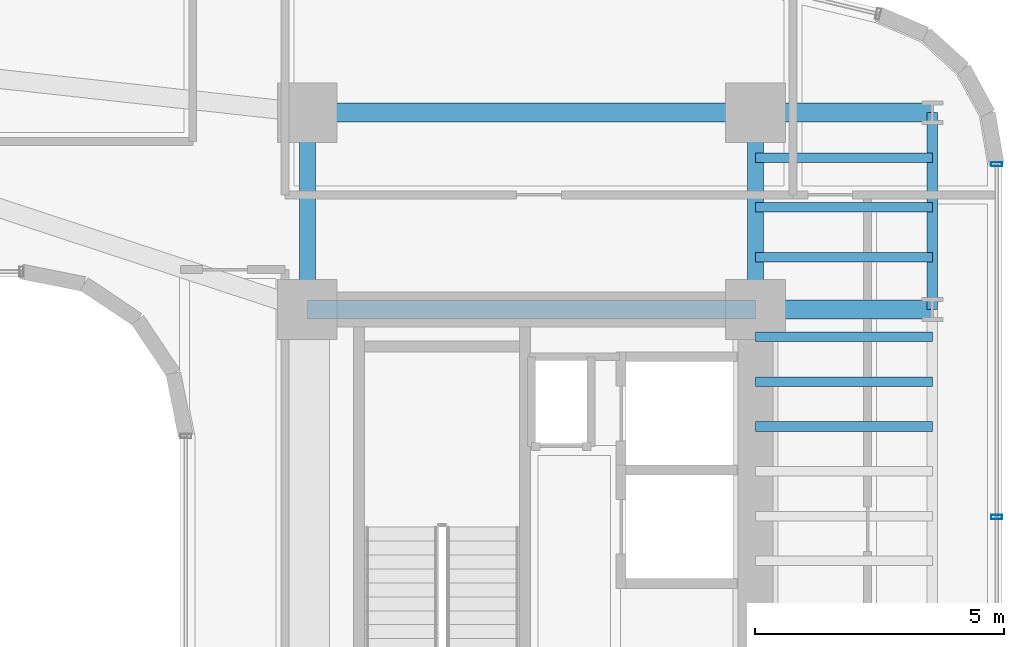
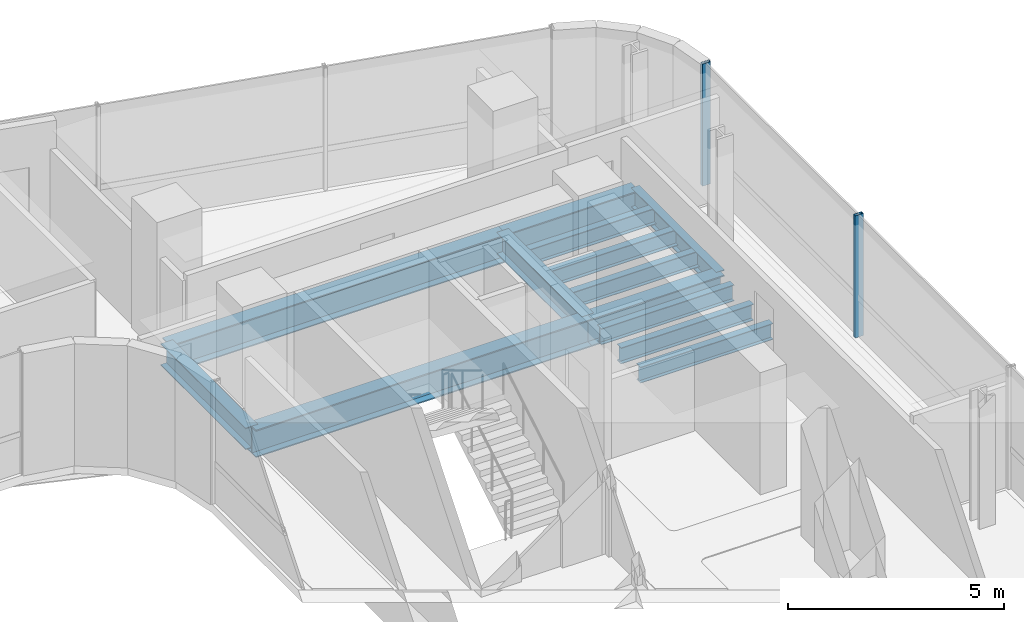
# One storey, part 17 of 34: 13 beams, 2 members, 1 element without a shape of its own.
"""IFC4 building model written with IfcOpenShell, lengths in metres."""

from ifc_helpers import new_model, si_unit, direction, frame, origin, origin_2d, place, context, subcontext, project, spatial, hollow_rectangle, i_section, extrude, source, transform, mapped, material, material_profile, profile_set, type_object, element, aggregate, save


model = new_model("IFC4")

# Units and contexts
model_context = context("Model", 3, precision=1e-05, world=origin(), true_north=direction((0.0, 1.0)))
body_context = subcontext(model_context, "Body", "Model", "MODEL_VIEW")
ifc_project = project(units=[si_unit("LENGTHUNIT", "METRE"), si_unit("AREAUNIT", "SQUARE_METRE"), si_unit("VOLUMEUNIT", "CUBIC_METRE"), si_unit("PLANEANGLEUNIT", "RADIAN"), si_unit("MASSUNIT", "GRAM", prefix="KILO")], contexts=[model_context])

# Site, building, storey
site_placement = place(None, origin())
site = spatial("IfcSite", under=ifc_project, at=site_placement, CompositionType="ELEMENT")
building_placement = place(site_placement, origin())
building = spatial("IfcBuilding", under=site, at=building_placement, Name="Valdorenza Pilgrim Sanctuary Tower", CompositionType="ELEMENT")
storey_placement = place(building_placement, frame((0.0, 0.0, 146.39990234375)))
storey = spatial("IfcBuildingStorey", under=building, at=storey_placement, Name="L37", CompositionType="ELEMENT", Elevation=146.39990234375)

# Beams
ifc_material_1 = material(Name="Steel ASTM A992 Grade 50", Category="steel")
ifc_material_profile_1 = material_profile(ifc_material_1, i_section(OverallWidth=0.323974609375, OverallDepth=0.611083984375, WebThickness=0.0126953125, FlangeThickness=0.01904296875, at=origin_2d()), Name="W24X104")
ifc_profile_set_1 = profile_set([ifc_material_profile_1], Name="Steel ASTM A992 Grade 50")
beam_type_1 = type_object("IfcBeamType", Name="STR-BM-GRD-W24B", PredefinedType="BEAM", material=ifc_profile_set_1)
shared_shape_1 = source(origin(), body_context, "Body", "SweptSolid", [
    extrude(i_section(OverallWidth=0.323974609375, OverallDepth=0.611083984375, WebThickness=0.0126953125, FlangeThickness=0.01904296875, at=origin_2d()), origin(), (0.0, 0.0, 1.0), 3.949951171875),
])
for number, where, z_axis, x_axis, name in (
    (1, (15.85009765625, 9.550048828125, -0.54541015625), (0.0, 1.0, 0.0), (-1.0, 0.0, 0.0), "L37 Core Tie Girder CB-W-N1N2"),
    (2, (24.85009765625, 9.550048828125, -0.54541015625), (0.0, 1.0, 0.0), (-1.0, 0.0, 0.0), "L37 Core Tie Girder CB-E-N1N2"),
):
    element("IfcBeam", number, at=place(storey_placement, frame(where, z_axis=z_axis, x_axis=x_axis)), inside=storey, type_object=beam_type_1, Name=name, PredefinedType="BEAM", context=body_context, shape_type="MappedRepresentation", body=[
        mapped(shared_shape_1, transform((0.0, 0.0, 0.0), x_axis=(1.0, 0.0, 0.0), y_axis=(0.0, 1.0, 0.0), z_axis=(0.0, 0.0, 1.0), scale=1.0)),
    ])
ifc_material_profile_2 = material_profile(ifc_material_1, i_section(OverallWidth=0.214111328125, OverallDepth=0.549072265625, WebThickness=0.0146484375, FlangeThickness=0.023681640625, at=origin_2d()), Name="W21X93")
ifc_profile_set_2 = profile_set([ifc_material_profile_2], Name="Steel ASTM A992 Grade 50")
beam_type_2 = type_object("IfcBeamType", Name="STR-BM-SPN-W21A", PredefinedType="SPANDREL", material=ifc_profile_set_2)
shared_shape_2 = source(origin(), body_context, "Body", "SweptSolid", [
    extrude(i_section(OverallWidth=0.214111328125, OverallDepth=0.549072265625, WebThickness=0.0146484375, FlangeThickness=0.023681640625, at=origin_2d()), origin(), (0.0, 0.0, 1.0), 3.949951171875),
])
beam_placement = place(storey_placement, frame((28.39990234375, 9.550048828125, -0.514404296875), z_axis=(0.0, 1.0, 0.0), x_axis=(-1.0, 0.0, 0.0)))
element("IfcBeam", 3, at=beam_placement, inside=storey, type_object=beam_type_2, Name="L37 Spandrel Beam WB-E-N1N2", PredefinedType="SPANDREL", context=body_context, shape_type="MappedRepresentation", body=[
    mapped(shared_shape_2, transform((0.0, 0.0, 0.0), x_axis=(1.0, 0.0, 0.0), y_axis=(0.0, 1.0, 0.0), z_axis=(0.0, 0.0, 1.0), scale=1.0)),
])
ifc_material_profile_3 = material_profile(ifc_material_1, i_section(OverallWidth=0.382080078125, OverallDepth=0.779052734375, WebThickness=0.01806640625, FlangeThickness=0.030029296875, at=origin_2d()), Name="W30X191")
ifc_profile_set_3 = profile_set([ifc_material_profile_3], Name="Steel ASTM A992 Grade 50")
beam_type_3 = type_object("IfcBeamType", Name="STR-BM-GRD-W30", PredefinedType="BEAM", material=ifc_profile_set_3)
shared_shape_3 = source(origin(), body_context, "Body", "SweptSolid", [
    extrude(i_section(OverallWidth=0.382080078125, OverallDepth=0.779052734375, WebThickness=0.01806640625, FlangeThickness=0.030029296875, at=origin_2d()), origin(), (0.0, 0.0, 1.0), 9.0),
])
for number, where, z_axis, x_axis, name in (
    (4, (15.85009765625, 9.550048828125, -0.62939453125), (1.0, 0.0, 0.0), (0.0, 1.0, 0.0), "L37 Floor Girder CB-XC-N1"),
    (5, (15.85009765625, 13.5, -0.62939453125), (1.0, 0.0, 0.0), (0.0, 1.0, 0.0), "L37 Floor Girder CB-XC-N2"),
):
    element("IfcBeam", number, at=place(storey_placement, frame(where, z_axis=z_axis, x_axis=x_axis)), inside=storey, type_object=beam_type_3, Name=name, PredefinedType="BEAM", context=body_context, shape_type="MappedRepresentation", body=[
        mapped(shared_shape_3, transform((0.0, 0.0, 0.0), x_axis=(1.0, 0.0, 0.0), y_axis=(0.0, 1.0, 0.0), z_axis=(0.0, 0.0, 1.0), scale=1.0)),
    ])
shared_shape_4 = source(origin(), body_context, "Body", "SweptSolid", [
    extrude(i_section(OverallWidth=0.382080078125, OverallDepth=0.779052734375, WebThickness=0.01806640625, FlangeThickness=0.030029296875, at=origin_2d()), origin(), (0.0, 0.0, 1.0), 3.5498046875),
])
for number, where, z_axis, x_axis, name in (
    (6, (24.85009765625, 9.550048828125, -0.62939453125), (1.0, 0.0, 0.0), (0.0, 1.0, 0.0), "L37 Floor Girder WB-XE-N1"),
    (7, (24.85009765625, 13.5, -0.62939453125), (1.0, 0.0, 0.0), (0.0, 1.0, 0.0), "L37 Floor Girder WB-XE-N2"),
):
    element("IfcBeam", number, at=place(storey_placement, frame(where, z_axis=z_axis, x_axis=x_axis)), inside=storey, type_object=beam_type_3, Name=name, PredefinedType="BEAM", context=body_context, shape_type="MappedRepresentation", body=[
        mapped(shared_shape_4, transform((0.0, 0.0, 0.0), x_axis=(1.0, 0.0, 0.0), y_axis=(0.0, 1.0, 0.0), z_axis=(0.0, 0.0, 1.0), scale=1.0)),
    ])
ifc_material_profile_4 = material_profile(ifc_material_1, i_section(OverallWidth=0.19091796875, OverallDepth=0.45703125, WebThickness=0.009033203125, FlangeThickness=0.014404296875, at=origin_2d()), Name="W18X50")
ifc_profile_set_4 = profile_set([ifc_material_profile_4], Name="Steel ASTM A992 Grade 50")
beam_type_4 = type_object("IfcBeamType", Name="STR-BM-JST-W18B", PredefinedType="JOIST", material=ifc_profile_set_4)
shared_shape_5 = source(origin(), body_context, "Body", "SweptSolid", [
    extrude(i_section(OverallWidth=0.19091796875, OverallDepth=0.45703125, WebThickness=0.009033203125, FlangeThickness=0.014404296875, at=origin_2d()), origin(), (0.0, 0.0, 1.0), 3.5498046875),
])
for number, where, z_axis, x_axis, name in (
    (8, (24.85009765625, 7.199951171875, -0.468505859375), (1.0, 0.0, 0.0), (0.0, 1.0, 0.0), "L37 Composite Floor Joist JST-WB-16"),
    (9, (24.85009765625, 8.10009765625, -0.468505859375), (1.0, 0.0, 0.0), (0.0, 1.0, 0.0), "L37 Composite Floor Joist JST-WB-17"),
    (10, (24.85009765625, 9.0, -0.468505859375), (1.0, 0.0, 0.0), (0.0, 1.0, 0.0), "L37 Composite Floor Joist JST-WB-18"),
    (11, (24.85009765625, 10.60009765625, -0.468505859375), (1.0, 0.0, 0.0), (0.0, 1.0, 0.0), "L37 Composite Floor Joist JST-WB-19"),
    (12, (24.85009765625, 11.60009765625, -0.468505859375), (1.0, 0.0, 0.0), (0.0, 1.0, 0.0), "L37 Composite Floor Joist JST-WB-20"),
    (13, (24.85009765625, 12.60009765625, -0.468505859375), (1.0, 0.0, 0.0), (0.0, 1.0, 0.0), "L37 Composite Floor Joist JST-WB-21"),
):
    element("IfcBeam", number, at=place(storey_placement, frame(where, z_axis=z_axis, x_axis=x_axis)), inside=storey, type_object=beam_type_4, Name=name, PredefinedType="JOIST", context=body_context, shape_type="MappedRepresentation", body=[
        mapped(shared_shape_5, transform((0.0, 0.0, 0.0), x_axis=(1.0, 0.0, 0.0), y_axis=(0.0, 1.0, 0.0), z_axis=(0.0, 0.0, 1.0), scale=1.0)),
    ])

# Curtain wall, members
ifc_material_2 = material(Name="Curtain-wall IGU glazing", Category="glass")
curtain_wall_type = type_object("IfcCurtainWallType", Name="CW-SYS-03", PredefinedType="NOTDEFINED", material=ifc_material_2)
curtain_wall_placement = place(storey_placement, origin())
curtain_wall = element("IfcCurtainWall", 14, at=curtain_wall_placement, inside=storey, type_object=curtain_wall_type, Name="L37 Curtain Wall CW-L37-1-21", PredefinedType="NOTDEFINED")
ifc_material_3 = material(Name="Anodised aluminium AW-6060", Category="aluminium")
ifc_material_profile_5 = material_profile(ifc_material_3, hollow_rectangle(XDim=0.0849609375, YDim=0.219970703125, WallThickness=0.0048828125, at=origin_2d()), Name="ALU-M 220x85x5")
ifc_profile_set_5 = profile_set([ifc_material_profile_5], Name="Anodised aluminium AW-6060")
member_type = type_object("IfcMemberType", Name="CW-MUL-03", PredefinedType="MULLION", material=ifc_profile_set_5)
shared_shape_6 = source(origin(), body_context, "Body", "SweptSolid", [
    extrude(hollow_rectangle(XDim=0.0849609375, YDim=0.219970703125, WallThickness=0.0048828125, at=origin_2d()), origin(), (0.0, 0.0, 1.0), 3.460205078125),
])
member_1_placement = place(storey_placement, frame((29.68994140625, 12.46630859375, 0.0), z_axis=(0.0, 0.0, 1.0), x_axis=(0.0, -1.0, 0.0)))
member_1 = element("IfcMember", 15, at=member_1_placement, type_object=member_type, Name="CW-L37-1-21 Mullion 1", PredefinedType="MULLION", context=body_context, shape_type="MappedRepresentation", body=[
    mapped(shared_shape_6, transform((0.0, 0.0, 0.0), x_axis=(1.0, 0.0, 0.0), y_axis=(0.0, 1.0, 0.0), z_axis=(0.0, 0.0, 1.0), scale=1.0)),
])
member_2_placement = place(storey_placement, frame((29.68994140625, 5.381103515625, 0.0), z_axis=(0.0, 0.0, 1.0), x_axis=(0.0, -1.0, 0.0)))
member_2 = element("IfcMember", 16, at=member_2_placement, type_object=member_type, Name="CW-L37-1-21 Mullion 2", PredefinedType="MULLION", context=body_context, shape_type="MappedRepresentation", body=[
    mapped(shared_shape_6, transform((0.0, 0.0, 0.0), x_axis=(1.0, 0.0, 0.0), y_axis=(0.0, 1.0, 0.0), z_axis=(0.0, 0.0, 1.0), scale=1.0)),
])
aggregate(curtain_wall, [member_1, member_2])

save(model, "model.ifc")
